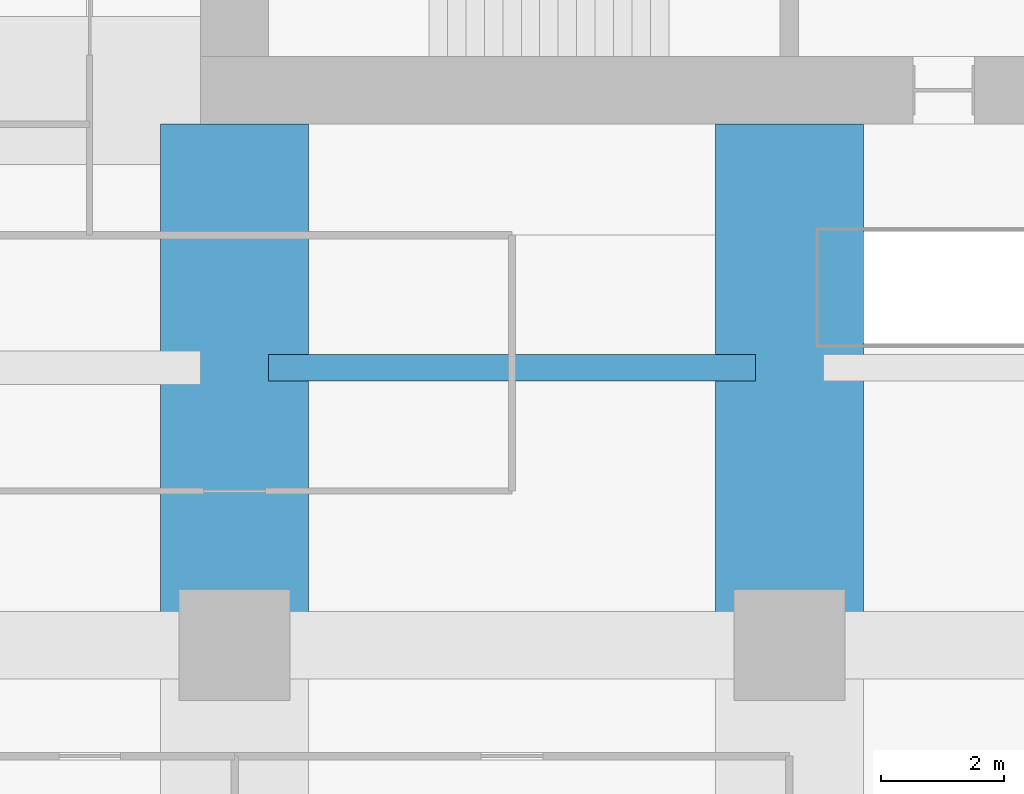
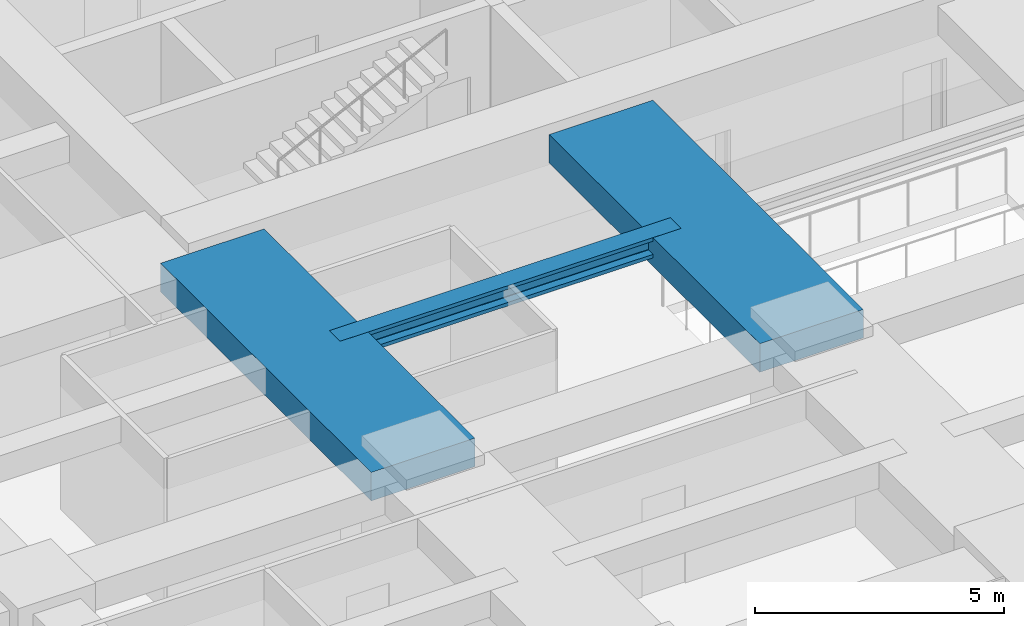
# One storey, part 8 of 43: 3 beams.
"""IFC4 building model written with IfcOpenShell, lengths in metres."""

from ifc_helpers import new_model, si_unit, direction, frame, origin, origin_2d, place, context, subcontext, project, spatial, rectangle, i_section, extrude, material, material_profile, profile_set, type_object, element, save


model = new_model("IFC4")

# Units and contexts
model_context = context("Model", 3, precision=1e-05, world=origin(), true_north=direction((0.0, 1.0)))
body_context = subcontext(model_context, "Body", "Model", "MODEL_VIEW")
ifc_project = project(units=[si_unit("LENGTHUNIT", "METRE"), si_unit("AREAUNIT", "SQUARE_METRE"), si_unit("VOLUMEUNIT", "CUBIC_METRE"), si_unit("PLANEANGLEUNIT", "RADIAN"), si_unit("MASSUNIT", "GRAM", prefix="KILO")], contexts=[model_context])

# Site, building, storey
site_placement = place(None, origin())
site = spatial("IfcSite", under=ifc_project, at=site_placement, CompositionType="ELEMENT")
building_placement = place(site_placement, origin())
building = spatial("IfcBuilding", under=site, at=building_placement, Name="Zorevar Civic Tower", CompositionType="ELEMENT")
storey_placement = place(building_placement, frame((0.0, 0.0, 141.0)))
storey = spatial("IfcBuildingStorey", under=building, at=storey_placement, Name="L34", CompositionType="ELEMENT", Elevation=141.0)

# Beams
ifc_material_1 = material(Name="Concrete C50/60", Category="concrete")
ifc_material_profile_1 = material_profile(ifc_material_1, rectangle(XDim=2.39990234375, YDim=0.699951171875, at=origin_2d()), Name="RC 2400x700")
ifc_profile_set_1 = profile_set([ifc_material_profile_1], Name="Concrete C50/60")
beam_type_1 = type_object("IfcBeamType", Name="Beam RC 2400x700", PredefinedType="BEAM", material=ifc_profile_set_1)
for number, where, z_axis, x_axis, name in (
    (1, (18.0, 9.0, 3.39990234375), (0.0, 1.0, 0.0), (-1.0, 0.0, 0.0), "Girder L35"),
    (2, (27.0, 9.0, 3.39990234375), (0.0, 1.0, 0.0), (-1.0, 0.0, 0.0), "Girder L35"),
):
    element("IfcBeam", number, at=place(storey_placement, frame(where, z_axis=z_axis, x_axis=x_axis)), inside=storey, type_object=beam_type_1, Name=name, PredefinedType="BEAM", context=body_context, shape_type="SweptSolid", body=[
        extrude(rectangle(XDim=2.39990234375, YDim=0.699951171875, at=origin_2d()), origin(), (0.0, 0.0, 1.0), 8.449951171875),
    ])
ifc_material_2 = material(Name="Steel S460M (HISTAR 460)", Category="steel")
ifc_material_profile_2 = material_profile(ifc_material_2, i_section(OverallWidth=0.431884765625, OverallDepth=0.498046875, WebThickness=0.0556640625, FlangeThickness=0.0888671875, FilletRadius=0.014892578125, at=origin_2d()), Name="HD 400x744")
ifc_profile_set_2 = profile_set([ifc_material_profile_2], Name="Steel S460M (HISTAR 460)")
beam_type_2 = type_object("IfcBeamType", Name="Core bay beam HD 400x744", PredefinedType="BEAM", material=ifc_profile_set_2)
beam_placement = place(storey_placement, frame((18.550048828125, 13.5, 3.5009765625), z_axis=(1.0, 0.0, 0.0), x_axis=(0.0, 1.0, 0.0)))
element("IfcBeam", 3, at=beam_placement, inside=storey, type_object=beam_type_2, Name="Secondary beam L35", PredefinedType="BEAM", context=body_context, shape_type="SweptSolid", body=[
    extrude(i_section(OverallWidth=0.431884765625, OverallDepth=0.498046875, WebThickness=0.0556640625, FlangeThickness=0.0888671875, FilletRadius=0.014892578125, at=origin_2d()), origin(), (0.0, 0.0, 1.0), 7.89990234375),
])

save(model, "model.ifc")
